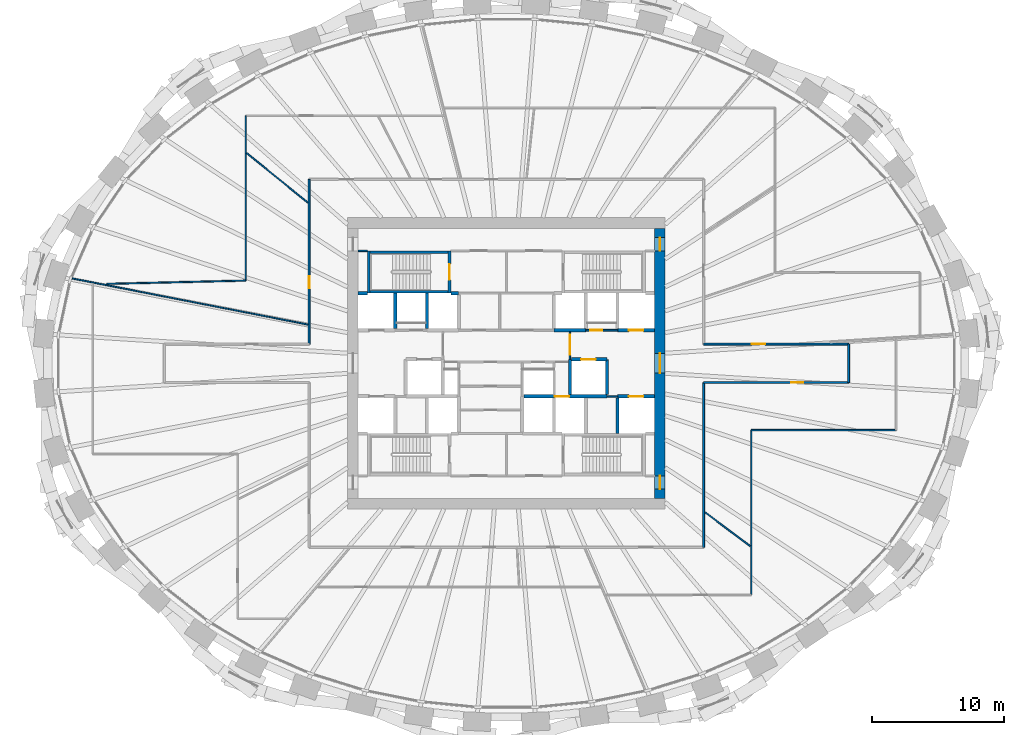
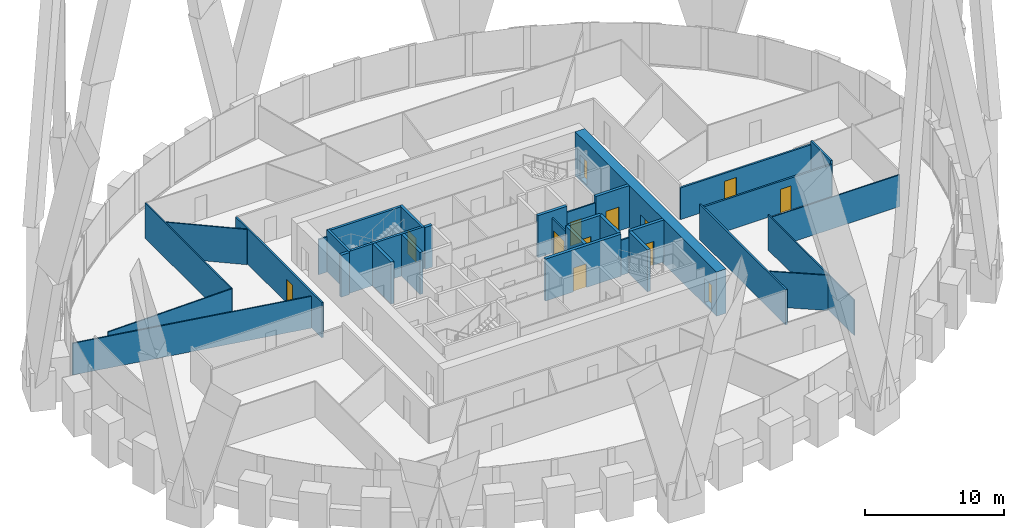
# One storey, part 9 of 12: 33 walls, 13 doors, 13 openings.
"""IFC4 building model written with IfcOpenShell, lengths in metres."""

from ifc_helpers import new_model, si_unit, direction, frame, frame_2d, origin, place, context, subcontext, project, spatial, rectangle, extrude, source, transform, mapped, material, layer, layer_set, type_object, element, fill, save


model = new_model("IFC4")

# Units and contexts
model_context = context("Model", 3, precision=1e-05, world=origin(), true_north=direction((0.0, 1.0)))
body_context = subcontext(model_context, "Body", "Model", "MODEL_VIEW")
ifc_project = project(units=[si_unit("LENGTHUNIT", "METRE"), si_unit("AREAUNIT", "SQUARE_METRE"), si_unit("VOLUMEUNIT", "CUBIC_METRE"), si_unit("PLANEANGLEUNIT", "RADIAN"), si_unit("MASSUNIT", "GRAM", prefix="KILO")], contexts=[model_context])

# Site, building, storey
site_placement = place(None, origin())
site = spatial("IfcSite", under=ifc_project, at=site_placement, CompositionType="ELEMENT")
building_placement = place(site_placement, origin())
building = spatial("IfcBuilding", under=site, at=building_placement, Name="Embergate Tower", CompositionType="ELEMENT")
storey_placement = place(building_placement, frame((0.0, 0.0, 222.89990234375)))
storey = spatial("IfcBuildingStorey", under=building, at=storey_placement, Name="L51", CompositionType="ELEMENT", Elevation=222.89990234375)

# Wall, openings, doors
ifc_material_1 = material(Name="Concrete C70", Category="concrete")
ifc_layer_1 = layer(ifc_material_1, 0.800048828125)
ifc_layer_set_1 = layer_set([ifc_layer_1], Name="Concrete C70")
wall_type_1 = type_object("IfcWallType", Name="Core outer wall C70 800", PredefinedType="SHEAR", material=ifc_layer_set_1)
shared_shape_1 = source(origin(), body_context, "Body", "SweptSolid", [
    extrude(rectangle(XDim=20.39990234375, YDim=0.800048828125, at=frame_2d((10.199951171875, 0.0))), origin(), (0.0, 0.0, 1.0), 3.900146484375),
])
wall_1_placement = place(storey_placement, frame((11.60009765625, -10.199951171875, -0.199951171875), z_axis=(0.0, 0.0, 1.0), x_axis=(0.0, 1.0, 0.0)))
wall_1 = element("IfcWall", 1, at=wall_1_placement, inside=storey, type_object=wall_type_1, Name="CW-L51-E", PredefinedType="SHEAR", context=body_context, shape_type="MappedRepresentation", body=[
    mapped(shared_shape_1, transform((0.0, 0.0, 0.0))),
])
shared_shape_2 = source(origin(), body_context, "Body", "SweptSolid", [
    extrude(rectangle(XDim=1.0, YDim=2.10009765625, at=frame_2d((0.5, 1.050048828125))), frame((0.0, 0.409912109375, 0.0), z_axis=(0.0, -1.0, 0.0), x_axis=(1.0, 0.0, 0.0)), (0.0, 0.0, 1.0), 0.820068359375),
])
opening_1_placement = place(wall_1_placement, frame((18.699951171875, 0.0, 0.199951171875)))
opening_1 = element("IfcOpeningElement", 2, at=opening_1_placement, cuts=wall_1, Name="Opening IF-1d", PredefinedType="OPENING", context=body_context, shape_type="MappedRepresentation", body=[
    mapped(shared_shape_2, transform((0.0, 0.0, 0.0))),
])
opening_2_placement = place(wall_1_placement, frame((0.699951171875, 0.0, 0.199951171875)))
opening_2 = element("IfcOpeningElement", 3, at=opening_2_placement, cuts=wall_1, Name="Opening IF-1d", PredefinedType="OPENING", context=body_context, shape_type="MappedRepresentation", body=[
    mapped(shared_shape_2, transform((0.0, 0.0, 0.0))),
])
shared_shape_3 = source(origin(), body_context, "Body", "SweptSolid", [
    extrude(rectangle(XDim=1.5, YDim=2.10009765625, at=frame_2d((0.75, 1.050048828125))), frame((0.0, 0.409912109375, 0.0), z_axis=(0.0, -1.0, 0.0), x_axis=(1.0, 0.0, 0.0)), (0.0, 0.0, 1.0), 0.820068359375),
])
opening_3_placement = place(wall_1_placement, frame((9.449951171875, 0.0, 0.199951171875)))
opening_3 = element("IfcOpeningElement", 4, at=opening_3_placement, cuts=wall_1, Name="Opening IF-3", PredefinedType="OPENING", context=body_context, shape_type="MappedRepresentation", body=[
    mapped(shared_shape_3, transform((0.0, 0.0, 0.0))),
])
ifc_material_2 = material(Name="Lobby fire door pair 1500")
door_type_1 = type_object("IfcDoorType", Name="Lobby fire door pair 1500", OperationType="DOUBLE_DOOR_SINGLE_SWING", PredefinedType="DOOR", material=ifc_material_2)
shared_shape_4 = source(origin(), body_context, "Body", "SweptSolid", [
    extrude(rectangle(XDim=1.5, YDim=2.10009765625, at=frame_2d((0.75, 1.050048828125))), frame((0.0, 0.02490234375, 0.0), z_axis=(0.0, -1.0, 0.0), x_axis=(1.0, 0.0, 0.0)), (0.0, 0.0, 1.0), 0.050048828125),
])
door_1_placement = place(opening_3_placement, origin())
door_1 = element("IfcDoor", 5, at=door_1_placement, inside=storey, type_object=door_type_1, Name="IF-3 door", OperationType="DOUBLE_DOOR_SINGLE_SWING", OverallHeight=2.10009765625, OverallWidth=1.5, PredefinedType="DOOR", context=body_context, shape_type="MappedRepresentation", body=[
    mapped(shared_shape_4, transform((0.0, 0.0, 0.0))),
])
fill(opening_3, door_1)
ifc_material_3 = material(Name="Escape fire door 1000")
door_type_2 = type_object("IfcDoorType", Name="Escape fire door 1000", OperationType="SINGLE_SWING_LEFT", PredefinedType="DOOR", material=ifc_material_3)
shared_shape_5 = source(origin(), body_context, "Body", "SweptSolid", [
    extrude(rectangle(XDim=1.0, YDim=2.10009765625, at=frame_2d((0.5, 1.050048828125))), frame((0.0, 0.02490234375, 0.0), z_axis=(0.0, -1.0, 0.0), x_axis=(1.0, 0.0, 0.0)), (0.0, 0.0, 1.0), 0.050048828125),
])
door_2_placement = place(opening_1_placement, origin())
door_2 = element("IfcDoor", 6, at=door_2_placement, inside=storey, type_object=door_type_2, Name="IF-1 door", OperationType="SINGLE_SWING_LEFT", OverallHeight=2.10009765625, OverallWidth=1.0, PredefinedType="DOOR", context=body_context, shape_type="MappedRepresentation", body=[
    mapped(shared_shape_5, transform((0.0, 0.0, 0.0))),
])
fill(opening_1, door_2)
door_3_placement = place(opening_2_placement, origin())
door_3 = element("IfcDoor", 7, at=door_3_placement, inside=storey, type_object=door_type_2, Name="IF-1 door", OperationType="SINGLE_SWING_RIGHT", OverallHeight=2.10009765625, OverallWidth=1.0, PredefinedType="DOOR", context=body_context, shape_type="MappedRepresentation", body=[
    mapped(shared_shape_5, transform((0.0, 0.0, 0.0))),
])
fill(opening_2, door_3)

# Wall, opening, door
ifc_material_4 = material(Name="Core partition blockwork 120")
ifc_layer_2 = layer(ifc_material_4, 0.1201171875)
ifc_layer_set_2 = layer_set([ifc_layer_2], Name="Core partition blockwork 120")
wall_type_2 = type_object("IfcWallType", Name="Core partition blockwork 120", PredefinedType="PARTITIONING", material=ifc_layer_set_2)
shared_shape_6 = source(origin(), body_context, "Body", "SweptSolid", [
    extrude(rectangle(XDim=2.074951171875, YDim=0.1201171875, at=frame_2d((1.03759765625, 0.0))), origin(), (0.0, 0.0, 1.0), 3.10009765625),
])
wall_2_placement = place(storey_placement, frame((4.800048828125, 0.300048828125, 0.0), z_axis=(0.0, 0.0, 1.0), x_axis=(0.0, 1.0, 0.0)))
wall_2 = element("IfcWall", 8, at=wall_2_placement, inside=storey, type_object=wall_type_2, Name="IP-3 wall", PredefinedType="PARTITIONING", context=body_context, shape_type="MappedRepresentation", body=[
    mapped(shared_shape_6, transform((0.0, 0.0, 0.0))),
])
shared_shape_7 = source(origin(), body_context, "Body", "SweptSolid", [
    extrude(rectangle(XDim=1.5, YDim=2.10009765625, at=frame_2d((0.75, 1.050048828125))), frame((0.0, 0.070068359375, 0.0), z_axis=(0.0, -1.0, 0.0), x_axis=(1.0, 0.0, 0.0)), (0.0, 0.0, 1.0), 0.14013671875),
])
opening_4_placement = place(wall_2_placement, frame((0.35009765625, 0.0, 0.0)))
opening_4 = element("IfcOpeningElement", 9, at=opening_4_placement, cuts=wall_2, Name="Opening IF-3", PredefinedType="OPENING", context=body_context, shape_type="MappedRepresentation", body=[
    mapped(shared_shape_7, transform((0.0, 0.0, 0.0))),
])
door_4_placement = place(opening_4_placement, origin())
door_4 = element("IfcDoor", 10, at=door_4_placement, inside=storey, type_object=door_type_1, Name="IF-3 door", OperationType="DOUBLE_DOOR_SINGLE_SWING", OverallHeight=2.10009765625, OverallWidth=1.5, PredefinedType="DOOR", context=body_context, shape_type="MappedRepresentation", body=[
    mapped(shared_shape_4, transform((0.0, 0.0, 0.0))),
])
fill(opening_4, door_4)

# Walls
ifc_material_5 = material(Name="Concrete C50", Category="concrete")
ifc_layer_3 = layer(ifc_material_5, 0.25)
ifc_layer_set_3 = layer_set([ifc_layer_3], Name="Concrete C50")
wall_type_3 = type_object("IfcWallType", Name="Hoistway wall reinforced concrete 250", PredefinedType="SHEAR", material=ifc_layer_set_3)
shared_shape_8 = source(origin(), body_context, "Body", "SweptSolid", [
    extrude(rectangle(XDim=2.675048828125, YDim=0.25, at=frame_2d((1.33740234375, 0.0))), origin(), (0.0, 0.0, 1.0), 3.7001953125),
])
for number, where, z_axis, x_axis, name in (
    (11, (-8.39990234375, 2.625, 0.0), (0.0, 0.0, 1.0), (0.0, 1.0, 0.0), "HW-1 wall"),
    (12, (-6.0, 2.625, 0.0), (0.0, 0.0, 1.0), (0.0, 1.0, 0.0), "HW-1 wall"),
    (13, (4.800048828125, -2.375, 0.0), (0.0, 0.0, 1.0), (0.0, 1.0, 0.0), "HW-1 wall"),
):
    element("IfcWall", number, at=place(storey_placement, frame(where, z_axis=z_axis, x_axis=x_axis)), inside=storey, type_object=wall_type_3, Name=name, PredefinedType="SHEAR", context=body_context, shape_type="MappedRepresentation", body=[
        mapped(shared_shape_8, transform((0.0, 0.0, 0.0))),
    ])

# Wall, opening, door
wall_3_placement = place(storey_placement, frame((7.60009765625, 0.300048828125, 0.0), z_axis=(0.0, 0.0, 1.0), x_axis=(-1.0, 0.0, 0.0)))
wall_3 = element("IfcWall", 14, at=wall_3_placement, inside=storey, type_object=wall_type_3, Name="HW-1 wall", PredefinedType="SHEAR", context=body_context, shape_type="MappedRepresentation", body=[
    mapped(shared_shape_8, transform((0.0, 0.0, 0.0))),
])
shared_shape_9 = source(origin(), body_context, "Body", "SweptSolid", [
    extrude(rectangle(XDim=1.10009765625, YDim=2.10009765625, at=frame_2d((0.550048828125, 1.050048828125))), frame((0.0, 0.135009765625, 0.0), z_axis=(0.0, -1.0, 0.0), x_axis=(1.0, 0.0, 0.0)), (0.0, 0.0, 1.0), 0.27001953125),
])
opening_5_placement = place(wall_3_placement, frame((0.85009765625, 0.0, 0.0)))
opening_5 = element("IfcOpeningElement", 15, at=opening_5_placement, cuts=wall_3, Name="Opening LD", PredefinedType="OPENING", context=body_context, shape_type="MappedRepresentation", body=[
    mapped(shared_shape_9, transform((0.0, 0.0, 0.0))),
])
ifc_material_6 = material(Name="Landing door sliding 1100")
door_type_3 = type_object("IfcDoorType", Name="Landing door sliding 1100", OperationType="SLIDING_TO_LEFT", PredefinedType="DOOR", material=ifc_material_6)
shared_shape_10 = source(origin(), body_context, "Body", "SweptSolid", [
    extrude(rectangle(XDim=1.10009765625, YDim=2.10009765625, at=frame_2d((0.550048828125, 1.050048828125))), frame((0.0, 0.02490234375, 0.0), z_axis=(0.0, -1.0, 0.0), x_axis=(1.0, 0.0, 0.0)), (0.0, 0.0, 1.0), 0.050048828125),
])
door_5_placement = place(opening_5_placement, origin())
door_5 = element("IfcDoor", 16, at=door_5_placement, inside=storey, type_object=door_type_3, Name="LD door", OperationType="SLIDING_TO_RIGHT", OverallHeight=2.10009765625, OverallWidth=1.10009765625, PredefinedType="DOOR", context=body_context, shape_type="MappedRepresentation", body=[
    mapped(shared_shape_10, transform((0.0, 0.0, 0.0))),
])
fill(opening_5, door_5)

# Walls
wall_4_placement = place(storey_placement, frame((7.60009765625, -2.375, 0.0), z_axis=(0.0, 0.0, 1.0), x_axis=(0.0, 1.0, 0.0)))
element("IfcWall", 17, at=wall_4_placement, inside=storey, type_object=wall_type_3, Name="HW-1 wall", PredefinedType="SHEAR", context=body_context, shape_type="MappedRepresentation", body=[
    mapped(shared_shape_8, transform((0.0, 0.0, 0.0))),
])
ifc_layer_4 = layer(ifc_material_5, 0.199951171875)
ifc_layer_set_4 = layer_set([ifc_layer_4], Name="Concrete C50")
wall_type_4 = type_object("IfcWallType", Name="Stair enclosure wall reinforced concrete 250", PredefinedType="SHEAR", material=ifc_layer_set_4)
shared_shape_11 = source(origin(), body_context, "Body", "SweptSolid", [
    extrude(rectangle(XDim=6.300048828125, YDim=0.199951171875, at=frame_2d((3.14990234375, 0.0))), origin(), (0.0, 0.0, 1.0), 3.7001953125),
])
for number, where, z_axis, x_axis, name in (
    (18, (-4.199951171875, 5.39990234375, 0.0), (0.0, 0.0, 1.0), (-1.0, 0.0, 0.0), "SE-1 wall"),
    (19, (-4.199951171875, 8.39990234375, 0.0), (0.0, 0.0, 1.0), (-1.0, 0.0, 0.0), "SE-1 wall"),
):
    element("IfcWall", number, at=place(storey_placement, frame(where, z_axis=z_axis, x_axis=x_axis)), inside=storey, type_object=wall_type_4, Name=name, PredefinedType="SHEAR", context=body_context, shape_type="MappedRepresentation", body=[
        mapped(shared_shape_11, transform((0.0, 0.0, 0.0))),
    ])

# Wall, opening, door
shared_shape_12 = source(origin(), body_context, "Body", "SweptSolid", [
    extrude(rectangle(XDim=3.199951171875, YDim=0.199951171875, at=frame_2d((1.60009765625, 0.0))), origin(), (0.0, 0.0, 1.0), 3.7001953125),
])
wall_5_placement = place(storey_placement, frame((-4.300048828125, 5.300048828125, 0.0), z_axis=(0.0, 0.0, 1.0), x_axis=(0.0, 1.0, 0.0)))
wall_5 = element("IfcWall", 20, at=wall_5_placement, inside=storey, type_object=wall_type_4, Name="SE-1 wall", PredefinedType="SHEAR", context=body_context, shape_type="MappedRepresentation", body=[
    mapped(shared_shape_12, transform((0.0, 0.0, 0.0))),
])
shared_shape_13 = source(origin(), body_context, "Body", "SweptSolid", [
    extrude(rectangle(XDim=1.199951171875, YDim=2.10009765625, at=frame_2d((0.60009765625, 1.050048828125))), frame((0.0, 0.10986328125, 0.0), z_axis=(0.0, -1.0, 0.0), x_axis=(1.0, 0.0, 0.0)), (0.0, 0.0, 1.0), 0.219970703125),
])
opening_6_placement = place(wall_5_placement, frame((1.0, 0.0, 0.0)))
opening_6 = element("IfcOpeningElement", 21, at=opening_6_placement, cuts=wall_5, Name="Opening IF-2", PredefinedType="OPENING", context=body_context, shape_type="MappedRepresentation", body=[
    mapped(shared_shape_13, transform((0.0, 0.0, 0.0))),
])
ifc_material_7 = material(Name="Stair enclosure door 1200")
door_type_4 = type_object("IfcDoorType", Name="Stair enclosure door 1200", OperationType="SINGLE_SWING_LEFT", PredefinedType="DOOR", material=ifc_material_7)
shared_shape_14 = source(origin(), body_context, "Body", "SweptSolid", [
    extrude(rectangle(XDim=1.199951171875, YDim=2.10009765625, at=frame_2d((0.60009765625, 1.050048828125))), frame((0.0, 0.02490234375, 0.0), z_axis=(0.0, -1.0, 0.0), x_axis=(1.0, 0.0, 0.0)), (0.0, 0.0, 1.0), 0.050048828125),
])
door_6_placement = place(opening_6_placement, origin())
door_6 = element("IfcDoor", 22, at=door_6_placement, inside=storey, type_object=door_type_4, Name="IF-2 door", OperationType="SINGLE_SWING_LEFT", OverallHeight=2.10009765625, OverallWidth=1.199951171875, PredefinedType="DOOR", context=body_context, shape_type="MappedRepresentation", body=[
    mapped(shared_shape_14, transform((0.0, 0.0, 0.0))),
])
fill(opening_6, door_6)

# Walls
shared_shape_15 = source(origin(), body_context, "Body", "SweptSolid", [
    extrude(rectangle(XDim=2.39990234375, YDim=0.25, at=frame_2d((1.199951171875, 0.0))), origin(), (0.0, 0.0, 1.0), 3.7001953125),
])
wall_6_placement = place(storey_placement, frame((3.60009765625, 2.5, 0.0), z_axis=(0.0, 0.0, 1.0), x_axis=(1.0, 0.0, 0.0)))
element("IfcWall", 23, at=wall_6_placement, inside=storey, type_object=wall_type_3, Name="HW-1 wall", PredefinedType="SHEAR", context=body_context, shape_type="MappedRepresentation", body=[
    mapped(shared_shape_15, transform((0.0, 0.0, 0.0))),
])
ifc_material_8 = material(Name="Partition dry-lined 100")
ifc_layer_5 = layer(ifc_material_8, 0.10009765625)
ifc_layer_set_5 = layer_set([ifc_layer_5], Name="Partition dry-lined 100")
wall_type_5 = type_object("IfcWallType", Name="Partition dry-lined 100", PredefinedType="PARTITIONING", material=ifc_layer_set_5)
shared_shape_16 = source(origin(), body_context, "Body", "SweptSolid", [
    extrude(rectangle(XDim=10.949951171875, YDim=0.10009765625, at=frame_2d((5.47509765625, 0.0))), origin(), (0.0, 0.0, 1.0), 2.800048828125),
])
wall_7_placement = place(storey_placement, frame((18.5, -5.050048828125, 0.0), z_axis=(0.0, 0.0, 1.0), x_axis=(1.0, 0.0, 0.0)))
element("IfcWall", 24, at=wall_7_placement, inside=storey, type_object=wall_type_5, Name="IP-1 wall", PredefinedType="PARTITIONING", context=body_context, shape_type="MappedRepresentation", body=[
    mapped(shared_shape_16, transform((0.0, 0.0, 0.0))),
])

# Wall, opening, door
shared_shape_17 = source(origin(), body_context, "Body", "SweptSolid", [
    extrude(rectangle(XDim=2.39990234375, YDim=0.1201171875, at=frame_2d((1.199951171875, 0.0))), origin(), (0.0, 0.0, 1.0), 3.10009765625),
])
wall_8_placement = place(storey_placement, frame((6.0, 2.5, 0.0), z_axis=(0.0, 0.0, 1.0), x_axis=(1.0, 0.0, 0.0)))
wall_8 = element("IfcWall", 25, at=wall_8_placement, inside=storey, type_object=wall_type_2, Name="IP-3 wall", PredefinedType="PARTITIONING", context=body_context, shape_type="MappedRepresentation", body=[
    mapped(shared_shape_17, transform((0.0, 0.0, 0.0))),
])
shared_shape_18 = source(origin(), body_context, "Body", "SweptSolid", [
    extrude(rectangle(XDim=0.89990234375, YDim=2.10009765625, at=frame_2d((0.449951171875, 1.050048828125))), frame((0.0, 0.070068359375, 0.0), z_axis=(0.0, -1.0, 0.0), x_axis=(1.0, 0.0, 0.0)), (0.0, 0.0, 1.0), 0.14013671875),
])
opening_7_placement = place(wall_8_placement, frame((0.35009765625, 0.0, 0.0)))
opening_7 = element("IfcOpeningElement", 26, at=opening_7_placement, cuts=wall_8, Name="Opening ID-1", PredefinedType="OPENING", context=body_context, shape_type="MappedRepresentation", body=[
    mapped(shared_shape_18, transform((0.0, 0.0, 0.0))),
])
ifc_material_9 = material(Name="Interior door 900")
door_type_5 = type_object("IfcDoorType", Name="Interior door 900", OperationType="SINGLE_SWING_LEFT", PredefinedType="DOOR", material=ifc_material_9)
shared_shape_19 = source(origin(), body_context, "Body", "SweptSolid", [
    extrude(rectangle(XDim=0.89990234375, YDim=2.10009765625, at=frame_2d((0.449951171875, 1.050048828125))), frame((0.0, 0.02490234375, 0.0), z_axis=(0.0, -1.0, 0.0), x_axis=(1.0, 0.0, 0.0)), (0.0, 0.0, 1.0), 0.050048828125),
])
door_7_placement = place(opening_7_placement, origin())
door_7 = element("IfcDoor", 27, at=door_7_placement, inside=storey, type_object=door_type_5, Name="ID-1 door", OperationType="SINGLE_SWING_RIGHT", OverallHeight=2.10009765625, OverallWidth=0.89990234375, PredefinedType="DOOR", context=body_context, shape_type="MappedRepresentation", body=[
    mapped(shared_shape_19, transform((0.0, 0.0, 0.0))),
])
fill(opening_7, door_7)

# Walls
shared_shape_20 = source(origin(), body_context, "Body", "SweptSolid", [
    extrude(rectangle(XDim=0.7958984375, YDim=0.1201171875, at=frame_2d((0.39794921875, 0.0))), origin(), (0.0, 0.0, 1.0), 3.10009765625),
])
wall_9_placement = place(storey_placement, frame((7.60205078125, -2.5, 0.0), z_axis=(0.0, 0.0, 1.0), x_axis=(1.0, 0.0, 0.0)))
element("IfcWall", 28, at=wall_9_placement, inside=storey, type_object=wall_type_2, Name="IP-3 wall", PredefinedType="PARTITIONING", context=body_context, shape_type="MappedRepresentation", body=[
    mapped(shared_shape_20, transform((0.0, 0.0, 0.0))),
])
shared_shape_21 = source(origin(), body_context, "Body", "SweptSolid", [
    extrude(rectangle(XDim=0.697998046875, YDim=0.1201171875, at=frame_2d((0.34912109375, 0.0))), origin(), (0.0, 0.0, 1.0), 3.10009765625),
])
wall_10_placement = place(storey_placement, frame((-11.199951171875, 8.5, 0.0), z_axis=(0.0, 0.0, 1.0), x_axis=(1.0, 0.0, 0.0)))
element("IfcWall", 29, at=wall_10_placement, inside=storey, type_object=wall_type_2, Name="IP-3 wall", PredefinedType="PARTITIONING", context=body_context, shape_type="MappedRepresentation", body=[
    mapped(shared_shape_21, transform((0.0, 0.0, 0.0))),
])

# Wall, opening, door
shared_shape_22 = source(origin(), body_context, "Body", "SweptSolid", [
    extrude(rectangle(XDim=2.800048828125, YDim=0.25, at=frame_2d((1.39990234375, 0.0))), origin(), (0.0, 0.0, 1.0), 3.7001953125),
])
wall_11_placement = place(storey_placement, frame((8.39990234375, 2.5, 0.0), z_axis=(0.0, 0.0, 1.0), x_axis=(1.0, 0.0, 0.0)))
wall_11 = element("IfcWall", 30, at=wall_11_placement, inside=storey, type_object=wall_type_3, Name="HW-1 wall", PredefinedType="SHEAR", context=body_context, shape_type="MappedRepresentation", body=[
    mapped(shared_shape_22, transform((0.0, 0.0, 0.0))),
])
opening_8_placement = place(wall_11_placement, frame((0.85009765625, 0.0, 0.0)))
opening_8 = element("IfcOpeningElement", 31, at=opening_8_placement, cuts=wall_11, Name="Opening LD", PredefinedType="OPENING", context=body_context, shape_type="MappedRepresentation", body=[
    mapped(shared_shape_9, transform((0.0, 0.0, 0.0))),
])
door_8_placement = place(opening_8_placement, origin())
door_8 = element("IfcDoor", 32, at=door_8_placement, inside=storey, type_object=door_type_3, Name="LD door", OperationType="SLIDING_TO_LEFT", OverallHeight=2.10009765625, OverallWidth=1.10009765625, PredefinedType="DOOR", context=body_context, shape_type="MappedRepresentation", body=[
    mapped(shared_shape_10, transform((0.0, 0.0, 0.0))),
])
fill(opening_8, door_8)

wall_12_placement = place(storey_placement, frame((11.199951171875, -2.5, 0.0), z_axis=(0.0, 0.0, 1.0), x_axis=(-1.0, 0.0, 0.0)))
wall_12 = element("IfcWall", 33, at=wall_12_placement, inside=storey, type_object=wall_type_3, Name="HW-1 wall", PredefinedType="SHEAR", context=body_context, shape_type="MappedRepresentation", body=[
    mapped(shared_shape_22, transform((0.0, 0.0, 0.0))),
])
opening_9_placement = place(wall_12_placement, frame((0.85009765625, 0.0, 0.0)))
opening_9 = element("IfcOpeningElement", 34, at=opening_9_placement, cuts=wall_12, Name="Opening LD", PredefinedType="OPENING", context=body_context, shape_type="MappedRepresentation", body=[
    mapped(shared_shape_9, transform((0.0, 0.0, 0.0))),
])
door_9_placement = place(opening_9_placement, origin())
door_9 = element("IfcDoor", 35, at=door_9_placement, inside=storey, type_object=door_type_3, Name="LD door", OperationType="SLIDING_TO_RIGHT", OverallHeight=2.10009765625, OverallWidth=1.10009765625, PredefinedType="DOOR", context=body_context, shape_type="MappedRepresentation", body=[
    mapped(shared_shape_10, transform((0.0, 0.0, 0.0))),
])
fill(opening_9, door_9)

# Wall
shared_shape_23 = source(origin(), body_context, "Body", "SweptSolid", [
    extrude(rectangle(XDim=0.599853515625, YDim=0.25, at=frame_2d((0.2998046875, 0.0))), origin(), (0.0, 0.0, 1.0), 3.7001953125),
])
wall_13_placement = place(storey_placement, frame((-3.60009765625, 5.300048828125, 0.0), z_axis=(0.0, 0.0, 1.0), x_axis=(-1.0, 0.0, 0.0)))
element("IfcWall", 36, at=wall_13_placement, inside=storey, type_object=wall_type_3, Name="HW-1 wall", PredefinedType="SHEAR", context=body_context, shape_type="MappedRepresentation", body=[
    mapped(shared_shape_23, transform((0.0, 0.0, 0.0))),
])

# Wall, opening, door
shared_shape_24 = source(origin(), body_context, "Body", "SweptSolid", [
    extrude(rectangle(XDim=6.27294921875, YDim=0.25, at=frame_2d((3.136474609375, 0.0))), origin(), (0.0, 0.0, 1.0), 3.7001953125),
])
wall_14_placement = place(storey_placement, frame((7.597900390625, -2.5, 0.0), z_axis=(0.0, 0.0, 1.0), x_axis=(-1.0, 0.0, 0.0)))
wall_14 = element("IfcWall", 37, at=wall_14_placement, inside=storey, type_object=wall_type_3, Name="HW-1 wall", PredefinedType="SHEAR", context=body_context, shape_type="MappedRepresentation", body=[
    mapped(shared_shape_24, transform((0.0, 0.0, 0.0))),
])
opening_10_placement = place(wall_14_placement, frame((2.847900390625, 0.0, 0.0)))
opening_10 = element("IfcOpeningElement", 38, at=opening_10_placement, cuts=wall_14, Name="Opening LD", PredefinedType="OPENING", context=body_context, shape_type="MappedRepresentation", body=[
    mapped(shared_shape_9, transform((0.0, 0.0, 0.0))),
])
door_10_placement = place(opening_10_placement, origin())
door_10 = element("IfcDoor", 39, at=door_10_placement, inside=storey, type_object=door_type_3, Name="LD door", OperationType="SLIDING_TO_RIGHT", OverallHeight=2.10009765625, OverallWidth=1.10009765625, PredefinedType="DOOR", context=body_context, shape_type="MappedRepresentation", body=[
    mapped(shared_shape_10, transform((0.0, 0.0, 0.0))),
])
fill(opening_10, door_10)

# Walls
shared_shape_25 = source(origin(), body_context, "Body", "SweptSolid", [
    extrude(rectangle(XDim=3.196044921875, YDim=0.199951171875, at=frame_2d((1.59814453125, 0.0))), origin(), (0.0, 0.0, 1.0), 3.7001953125),
])
wall_15_placement = place(storey_placement, frame((-10.39990234375, 8.498046875, 0.0), z_axis=(0.0, 0.0, 1.0), x_axis=(0.0, -1.0, 0.0)))
element("IfcWall", 40, at=wall_15_placement, inside=storey, type_object=wall_type_4, Name="SE-1 wall", PredefinedType="SHEAR", context=body_context, shape_type="MappedRepresentation", body=[
    mapped(shared_shape_25, transform((0.0, 0.0, 0.0))),
])
shared_shape_26 = source(origin(), body_context, "Body", "SweptSolid", [
    extrude(rectangle(XDim=0.697998046875, YDim=0.25, at=frame_2d((0.34912109375, 0.0))), origin(), (0.0, 0.0, 1.0), 3.7001953125),
])
wall_16_placement = place(storey_placement, frame((-10.501953125, 5.300048828125, 0.0), z_axis=(0.0, 0.0, 1.0), x_axis=(-1.0, 0.0, 0.0)))
element("IfcWall", 41, at=wall_16_placement, inside=storey, type_object=wall_type_3, Name="HW-1 wall", PredefinedType="SHEAR", context=body_context, shape_type="MappedRepresentation", body=[
    mapped(shared_shape_26, transform((0.0, 0.0, 0.0))),
])
shared_shape_27 = source(origin(), body_context, "Body", "SweptSolid", [
    extrude(rectangle(XDim=2.671142578125, YDim=0.25, at=frame_2d((1.33544921875, 0.0))), origin(), (0.0, 0.0, 1.0), 3.7001953125),
])
wall_17_placement = place(storey_placement, frame((8.39990234375, -2.626953125, 0.0), z_axis=(0.0, 0.0, 1.0), x_axis=(0.0, -1.0, 0.0)))
element("IfcWall", 42, at=wall_17_placement, inside=storey, type_object=wall_type_3, Name="HW-1 wall", PredefinedType="SHEAR", context=body_context, shape_type="MappedRepresentation", body=[
    mapped(shared_shape_27, transform((0.0, 0.0, 0.0))),
])

# Wall, opening, door
ifc_material_10 = material(Name="Corridor wall dry-lined 150")
ifc_layer_6 = layer(ifc_material_10, 0.14990234375)
ifc_layer_set_6 = layer_set([ifc_layer_6], Name="Corridor wall dry-lined 150")
wall_type_6 = type_object("IfcWallType", Name="Corridor wall dry-lined 150", PredefinedType="PARTITIONING", material=ifc_layer_set_6)
shared_shape_28 = source(origin(), body_context, "Body", "SweptSolid", [
    extrude(rectangle(XDim=10.9501953125, YDim=0.14990234375, at=frame_2d((5.47509765625, 0.0))), origin(), (0.0, 0.0, 1.0), 2.800048828125),
])
wall_18_placement = place(storey_placement, frame((14.89990234375, -1.449951171875, 0.0), z_axis=(0.0, 0.0, 1.0), x_axis=(1.0, 0.0, 0.0)))
wall_18 = element("IfcWall", 43, at=wall_18_placement, inside=storey, type_object=wall_type_6, Name="IP-2 wall", PredefinedType="PARTITIONING", context=body_context, shape_type="MappedRepresentation", body=[
    mapped(shared_shape_28, transform((0.0, 0.0, 0.0))),
])
shared_shape_29 = source(origin(), body_context, "Body", "SweptSolid", [
    extrude(rectangle(XDim=0.89990234375, YDim=2.10009765625, at=frame_2d((0.449951171875, 1.050048828125))), frame((0.0, 0.0849609375, 0.0), z_axis=(0.0, -1.0, 0.0), x_axis=(1.0, 0.0, 0.0)), (0.0, 0.0, 1.0), 0.169921875),
])
opening_11_placement = place(wall_18_placement, frame((6.632080078125, 0.0, 0.0)))
opening_11 = element("IfcOpeningElement", 44, at=opening_11_placement, cuts=wall_18, Name="Opening IF-1c", PredefinedType="OPENING", context=body_context, shape_type="MappedRepresentation", body=[
    mapped(shared_shape_29, transform((0.0, 0.0, 0.0))),
])
ifc_material_11 = material(Name="Escape fire door 900")
door_type_6 = type_object("IfcDoorType", Name="Escape fire door 900", OperationType="SINGLE_SWING_LEFT", PredefinedType="DOOR", material=ifc_material_11)
door_11_placement = place(opening_11_placement, origin())
door_11 = element("IfcDoor", 45, at=door_11_placement, inside=storey, type_object=door_type_6, Name="IF-1 door", OperationType="SINGLE_SWING_RIGHT", OverallHeight=2.10009765625, OverallWidth=0.89990234375, PredefinedType="DOOR", context=body_context, shape_type="MappedRepresentation", body=[
    mapped(shared_shape_19, transform((0.0, 0.0, 0.0))),
])
fill(opening_11, door_11)

wall_19_placement = place(storey_placement, frame((25.85009765625, 1.449951171875, 0.0), z_axis=(0.0, 0.0, 1.0), x_axis=(-1.0, 0.0, 0.0)))
wall_19 = element("IfcWall", 46, at=wall_19_placement, inside=storey, type_object=wall_type_6, Name="IP-2 wall", PredefinedType="PARTITIONING", context=body_context, shape_type="MappedRepresentation", body=[
    mapped(shared_shape_28, transform((0.0, 0.0, 0.0))),
])
shared_shape_30 = source(origin(), body_context, "Body", "SweptSolid", [
    extrude(rectangle(XDim=1.0, YDim=2.10009765625, at=frame_2d((0.5, 1.050048828125))), frame((0.0, 0.0849609375, 0.0), z_axis=(0.0, -1.0, 0.0), x_axis=(1.0, 0.0, 0.0)), (0.0, 0.0, 1.0), 0.169921875),
])
opening_12_placement = place(wall_19_placement, frame((6.30810546875, 0.0, 0.0)))
opening_12 = element("IfcOpeningElement", 47, at=opening_12_placement, cuts=wall_19, Name="Opening ID-2", PredefinedType="OPENING", context=body_context, shape_type="MappedRepresentation", body=[
    mapped(shared_shape_30, transform((0.0, 0.0, 0.0))),
])
ifc_material_12 = material(Name="Interior door 1000")
door_type_7 = type_object("IfcDoorType", Name="Interior door 1000", OperationType="SINGLE_SWING_LEFT", PredefinedType="DOOR", material=ifc_material_12)
door_12_placement = place(opening_12_placement, origin())
door_12 = element("IfcDoor", 48, at=door_12_placement, inside=storey, type_object=door_type_7, Name="ID-2 door", OperationType="SINGLE_SWING_RIGHT", OverallHeight=2.10009765625, OverallWidth=1.0, PredefinedType="DOOR", context=body_context, shape_type="MappedRepresentation", body=[
    mapped(shared_shape_5, transform((0.0, 0.0, 0.0))),
])
fill(opening_12, door_12)

# Wall
shared_shape_31 = source(origin(), body_context, "Body", "SweptSolid", [
    extrude(rectangle(XDim=12.449951171875, YDim=0.14990234375, at=frame_2d((6.22509765625, 0.0))), origin(), (0.0, 0.0, 1.0), 3.10009765625),
])
wall_20_placement = place(storey_placement, frame((14.89990234375, -1.449951171875, 0.0), z_axis=(0.0, 0.0, 1.0), x_axis=(0.0, -1.0, 0.0)))
element("IfcWall", 49, at=wall_20_placement, inside=storey, type_object=wall_type_6, Name="IP-2 wall", PredefinedType="PARTITIONING", context=body_context, shape_type="MappedRepresentation", body=[
    mapped(shared_shape_31, transform((0.0, 0.0, 0.0))),
])

# Wall, opening, door
wall_21_placement = place(storey_placement, frame((-14.89990234375, 1.449951171875, 0.0), z_axis=(0.0, 0.0, 1.0), x_axis=(0.0, 1.0, 0.0)))
wall_21 = element("IfcWall", 50, at=wall_21_placement, inside=storey, type_object=wall_type_6, Name="IP-2 wall", PredefinedType="PARTITIONING", context=body_context, shape_type="MappedRepresentation", body=[
    mapped(shared_shape_31, transform((0.0, 0.0, 0.0))),
])
opening_13_placement = place(wall_21_placement, frame((4.2099609375, 0.0, 0.0)))
opening_13 = element("IfcOpeningElement", 51, at=opening_13_placement, cuts=wall_21, Name="Opening IF-1c", PredefinedType="OPENING", context=body_context, shape_type="MappedRepresentation", body=[
    mapped(shared_shape_29, transform((0.0, 0.0, 0.0))),
])
door_13_placement = place(opening_13_placement, origin())
door_13 = element("IfcDoor", 52, at=door_13_placement, inside=storey, type_object=door_type_6, Name="IF-1 door", OperationType="SINGLE_SWING_LEFT", OverallHeight=2.10009765625, OverallWidth=0.89990234375, PredefinedType="DOOR", context=body_context, shape_type="MappedRepresentation", body=[
    mapped(shared_shape_19, transform((0.0, 0.0, 0.0))),
])
fill(opening_13, door_13)

# Walls
shared_shape_32 = source(origin(), body_context, "Body", "SweptSolid", [
    extrude(rectangle(XDim=2.89990234375, YDim=0.14990234375, at=frame_2d((1.449951171875, 0.0))), origin(), (0.0, 0.0, 1.0), 3.10009765625),
])
wall_22_placement = place(storey_placement, frame((25.85009765625, -1.449951171875, 0.0), z_axis=(0.0, 0.0, 1.0), x_axis=(0.0, 1.0, 0.0)))
element("IfcWall", 53, at=wall_22_placement, inside=storey, type_object=wall_type_6, Name="IP-2 wall", PredefinedType="PARTITIONING", context=body_context, shape_type="MappedRepresentation", body=[
    mapped(shared_shape_32, transform((0.0, 0.0, 0.0))),
])
shared_shape_33 = source(origin(), body_context, "Body", "SweptSolid", [
    extrude(rectangle(XDim=4.2685546875, YDim=0.10009765625, at=frame_2d((2.13427734375, 0.0))), origin(), (0.0, 0.0, 1.0), 3.10009765625),
])
wall_23_placement = place(storey_placement, frame((15.0048828125, -11.251953125, 0.0), z_axis=(0.0, 0.0, 1.0), x_axis=(0.800027452206, -0.599963395314, 0.0)))
element("IfcWall", 54, at=wall_23_placement, inside=storey, type_object=wall_type_5, Name="IP-1 wall", PredefinedType="PARTITIONING", context=body_context, shape_type="MappedRepresentation", body=[
    mapped(shared_shape_33, transform((0.0, 0.0, 0.0))),
])
shared_shape_34 = source(origin(), body_context, "Body", "SweptSolid", [
    extrude(rectangle(XDim=12.449951171875, YDim=0.10009765625, at=frame_2d((6.22509765625, 0.0))), origin(), (0.0, 0.0, 1.0), 3.10009765625),
])
for number, where, z_axis, x_axis, name in (
    (55, (18.5, -5.050048828125, 0.0), (0.0, 0.0, 1.0), (0.0, -1.0, 0.0), "IP-1 wall"),
    (56, (-19.699951171875, 6.25, 0.0), (0.0, 0.0, 1.0), (0.0, 1.0, 0.0), "IP-1 wall"),
):
    element("IfcWall", number, at=place(storey_placement, frame(where, z_axis=z_axis, x_axis=x_axis)), inside=storey, type_object=wall_type_5, Name=name, PredefinedType="PARTITIONING", context=body_context, shape_type="MappedRepresentation", body=[
        mapped(shared_shape_34, transform((0.0, 0.0, 0.0))),
    ])
shared_shape_35 = source(origin(), body_context, "Body", "SweptSolid", [
    extrude(rectangle(XDim=5.933349609375, YDim=0.10009765625, at=frame_2d((2.966796875, 0.0))), origin(), (0.0, 0.0, 1.0), 3.10009765625),
])
wall_24_placement = place(storey_placement, frame((-15.007080078125, 12.14599609375, 0.0), z_axis=(0.0, 0.0, 1.0), x_axis=(-0.777283198785, 0.629150879271, 0.0)))
element("IfcWall", 57, at=wall_24_placement, inside=storey, type_object=wall_type_5, Name="IP-1 wall", PredefinedType="PARTITIONING", context=body_context, shape_type="MappedRepresentation", body=[
    mapped(shared_shape_35, transform((0.0, 0.0, 0.0))),
])
shared_shape_36 = source(origin(), body_context, "Body", "SweptSolid", [
    extrude(rectangle(XDim=10.492919921875, YDim=0.10009765625, at=frame_2d((5.24658203125, 0.0))), origin(), (0.0, 0.0, 1.0), 3.10009765625),
])
wall_25_placement = place(storey_placement, frame((-30.18994140625, 6.0029296875, 0.0), z_axis=(0.0, 0.0, 1.0), x_axis=(0.999722744404, 0.023546429058, 0.0)))
element("IfcWall", 58, at=wall_25_placement, inside=storey, type_object=wall_type_5, Name="IP-1 wall", PredefinedType="PARTITIONING", context=body_context, shape_type="MappedRepresentation", body=[
    mapped(shared_shape_36, transform((0.0, 0.0, 0.0))),
])
shared_shape_37 = source(origin(), body_context, "Body", "SweptSolid", [
    extrude(rectangle(XDim=18.251953125, YDim=0.10009765625, at=frame_2d((9.1259765625, 0.0))), origin(), (0.0, 0.0, 1.0), 2.800048828125),
])
wall_26_placement = place(storey_placement, frame((-32.89794921875, 6.430908203125, 0.0), z_axis=(0.0, 0.0, 1.0), x_axis=(0.98142086384, -0.191867370908, 0.0)))
element("IfcWall", 59, at=wall_26_placement, inside=storey, type_object=wall_type_5, Name="IP-1 wall", PredefinedType="PARTITIONING", context=body_context, shape_type="MappedRepresentation", body=[
    mapped(shared_shape_37, transform((0.0, 0.0, 0.0))),
])

save(model, "model.ifc")
